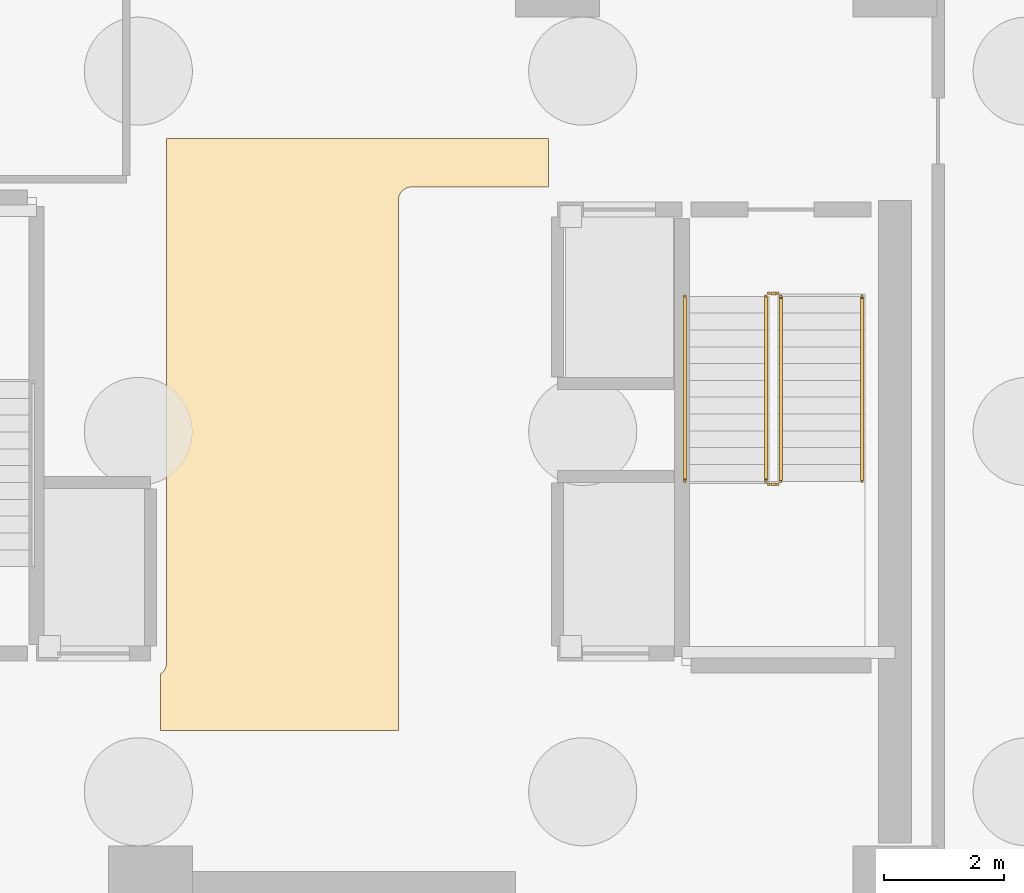
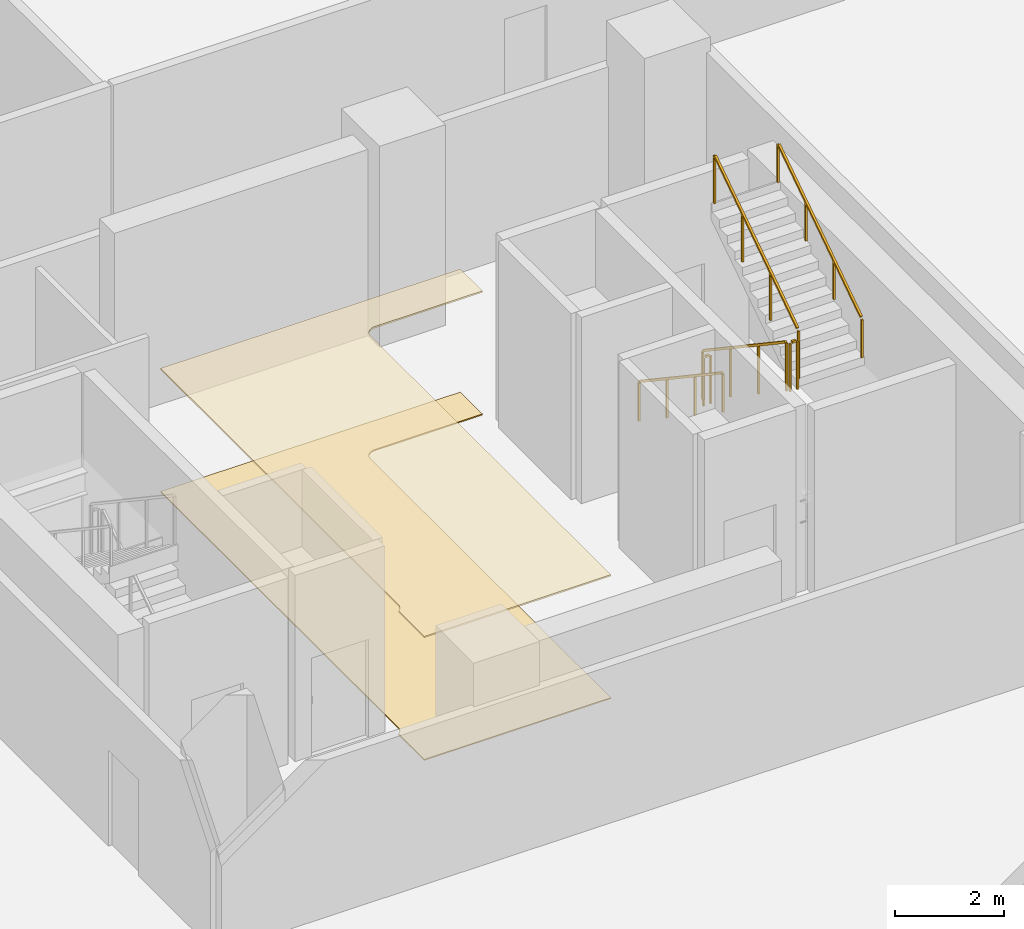
# One storey, part 12 of 15: 6 railings, 2 coverings.
"""IFC4 building model written with IfcOpenShell, lengths in metres."""

from ifc_helpers import new_model, si_unit, direction, frame, origin, origin_2d, place, context, subcontext, project, spatial, polyline, rectangle, outline, extrude, material, layer, layer_set, type_object, element, save


model = new_model("IFC4")

# Units and contexts
model_context = context("Model", 3, precision=1e-05, world=origin(), true_north=direction((0.0, 1.0)))
body_context = subcontext(model_context, "Body", "Model", "MODEL_VIEW")
ifc_project = project(units=[si_unit("LENGTHUNIT", "METRE"), si_unit("AREAUNIT", "SQUARE_METRE"), si_unit("VOLUMEUNIT", "CUBIC_METRE"), si_unit("PLANEANGLEUNIT", "RADIAN"), si_unit("MASSUNIT", "GRAM", prefix="KILO")], contexts=[model_context])

# Site, building, storey
site_placement = place(None, origin())
site = spatial("IfcSite", under=ifc_project, at=site_placement, CompositionType="ELEMENT")
building_placement = place(site_placement, origin())
building = spatial("IfcBuilding", under=site, at=building_placement, Name="Tharavind Bronze Gate", CompositionType="ELEMENT")
storey_placement = place(building_placement, frame((0.0, 0.0, -9.0)))
storey = spatial("IfcBuildingStorey", under=building, at=storey_placement, Name="B02", CompositionType="ELEMENT", Elevation=-9.0)

# Coverings
ifc_material_1 = material(Name="Perforated Bronze Acoustic Panel", Category="bronze")
ifc_layer_1 = layer(ifc_material_1, 0.044921875)
ifc_layer_set_1 = layer_set([ifc_layer_1], Name="Perforated Bronze Acoustic Panel")
covering_type_1 = type_object("IfcCoveringType", Name="ACOUSTIC BRONZE BAFFLE CEILING", PredefinedType="CEILING", material=ifc_layer_set_1)
covering_1_placement = place(storey_placement, frame((0.0, 0.0, 2.75)))
element("IfcCovering", 1, at=covering_1_placement, inside=storey, type_object=covering_type_1, Name="B02-C-LL suspended ceiling", PredefinedType="CEILING", context=body_context, shape_type="SweptSolid", body=[
    extrude(outline(polyline([(-3.330078125, -4.97998046875), (0.6298828125, -4.97998046875), (0.6298828125, 3.85009765625), (0.631103515625, 3.87158203125), (0.63427734375, 3.892822265625), (0.639404296875, 3.913818359375), (0.646728515625, 3.93408203125), (0.656005859375, 3.95361328125), (0.6669921875, 3.97216796875), (0.679931640625, 3.989501953125), (0.6943359375, 4.005615234375), (0.71044921875, 4.02001953125), (0.727783203125, 4.032958984375), (0.746337890625, 4.0439453125), (0.765869140625, 4.05322265625), (0.7861328125, 4.060546875), (0.80712890625, 4.06591796875), (0.828369140625, 4.06884765625), (0.85009765625, 4.070068359375), (3.1298828125, 4.070068359375), (3.1298828125, 4.8798828125), (-3.22998046875, 4.8798828125), (-3.22998046875, -3.85009765625), (-3.231201171875, -3.87158203125), (-3.234130859375, -3.892822265625), (-3.239501953125, -3.913818359375), (-3.24658203125, -3.93408203125), (-3.256103515625, -3.95361328125), (-3.26708984375, -3.97216796875), (-3.27978515625, -3.989501953125), (-3.29443359375, -4.005615234375), (-3.310302734375, -4.02001953125), (-3.327880859375, -4.032958984375), (-3.330078125, -4.0341796875), (-3.330078125, -4.97998046875)])), origin(), (0.0, 0.0, 1.0), 0.034912109375),
])
ifc_material_2 = material(Name="Honed Travertine Limestone", Category="masonry")
ifc_layer_2 = layer(ifc_material_2, 0.030029296875)
ifc_layer_set_2 = layer_set([ifc_layer_2], Name="Honed Travertine Limestone")
covering_type_2 = type_object("IfcCoveringType", Name="HONED LIMESTONE FLOORING", PredefinedType="FLOORING", material=ifc_layer_set_2)
covering_2_placement = place(storey_placement, origin())
element("IfcCovering", 2, at=covering_2_placement, inside=storey, type_object=covering_type_2, Name="B02-C-LL floor finish", PredefinedType="FLOORING", context=body_context, shape_type="SweptSolid", body=[
    extrude(outline(polyline([(-3.330078125, -4.97998046875), (0.6298828125, -4.97998046875), (0.6298828125, 3.85009765625), (0.631103515625, 3.87158203125), (0.63427734375, 3.892822265625), (0.639404296875, 3.913818359375), (0.646728515625, 3.93408203125), (0.656005859375, 3.95361328125), (0.6669921875, 3.97216796875), (0.679931640625, 3.989501953125), (0.6943359375, 4.005615234375), (0.71044921875, 4.02001953125), (0.727783203125, 4.032958984375), (0.746337890625, 4.0439453125), (0.765869140625, 4.05322265625), (0.7861328125, 4.060546875), (0.80712890625, 4.06591796875), (0.828369140625, 4.06884765625), (0.85009765625, 4.070068359375), (3.1298828125, 4.070068359375), (3.1298828125, 4.8798828125), (-3.22998046875, 4.8798828125), (-3.22998046875, -3.85009765625), (-3.231201171875, -3.87158203125), (-3.234130859375, -3.892822265625), (-3.239501953125, -3.913818359375), (-3.24658203125, -3.93408203125), (-3.256103515625, -3.95361328125), (-3.26708984375, -3.97216796875), (-3.27978515625, -3.989501953125), (-3.29443359375, -4.005615234375), (-3.310302734375, -4.02001953125), (-3.327880859375, -4.032958984375), (-3.330078125, -4.0341796875), (-3.330078125, -4.97998046875)])), origin(), (0.0, 0.0, 1.0), 0.02490234375),
])

# Railings
ifc_material_3 = material(Name="Brushed Bronze Alloy", Category="metal")
railing_type_1 = type_object("IfcRailingType", Name="STAIR BRONZE HANDRAIL 900", PredefinedType="HANDRAIL", material=ifc_material_3)
railing_1_placement = place(storey_placement, frame((5.39990234375, 2.25, 0.1875)))
element("IfcRailing", 3, at=railing_1_placement, inside=storey, type_object=railing_type_1, Name="B02 ST2 stair handrail 1", PredefinedType="HANDRAIL", context=body_context, shape_type="SweptSolid", body=[
    extrude(rectangle(XDim=0.048095703125, YDim=0.048095703125, at=origin_2d()), frame((0.0, -0.026611328125, 0.8935546875), z_axis=(0.0, -0.830913701846, 0.55640131208), x_axis=(1.0, 0.0, 0.0)), (0.0, 0.0, 1.0), 3.642822265625),
    extrude(rectangle(XDim=0.0400390625, YDim=0.0400390625, at=origin_2d()), origin(), (0.0, 0.0, 1.0), 0.847900390625),
    extrude(rectangle(XDim=0.0400390625, YDim=0.0400390625, at=origin_2d()), frame((0.0, -1.026611328125, 0.6875)), (0.0, 0.0, 1.0), 0.847900390625),
    extrude(rectangle(XDim=0.0400390625, YDim=0.0400390625, at=origin_2d()), frame((0.0, -2.053466796875, 1.375)), (0.0, 0.0, 1.0), 0.847900390625),
    extrude(rectangle(XDim=0.0400390625, YDim=0.0400390625, at=origin_2d()), frame((0.0, -3.080078125, 2.0625)), (0.0, 0.0, 1.0), 0.847900390625),
])
railing_2_placement = place(storey_placement, frame((8.35009765625, -0.830078125, 2.4375)))
element("IfcRailing", 4, at=railing_2_placement, inside=storey, type_object=railing_type_1, Name="B02 ST2 stair handrail 2", PredefinedType="HANDRAIL", context=body_context, shape_type="SweptSolid", body=[
    extrude(rectangle(XDim=0.048095703125, YDim=0.048095703125, at=origin_2d()), frame((0.0, 0.026611328125, 0.8935546875), z_axis=(0.0, 0.830913701846, 0.55640131208), x_axis=(-1.0, 0.0, 0.0)), (0.0, 0.0, 1.0), 3.642822265625),
    extrude(rectangle(XDim=0.0400390625, YDim=0.0400390625, at=origin_2d()), origin(), (0.0, 0.0, 1.0), 0.847900390625),
    extrude(rectangle(XDim=0.0400390625, YDim=0.0400390625, at=origin_2d()), frame((0.0, 1.026611328125, 0.6875)), (0.0, 0.0, 1.0), 0.847900390625),
    extrude(rectangle(XDim=0.0400390625, YDim=0.0400390625, at=origin_2d()), frame((0.0, 2.053466796875, 1.375)), (0.0, 0.0, 1.0), 0.847900390625),
    extrude(rectangle(XDim=0.0400390625, YDim=0.0400390625, at=origin_2d()), frame((0.0, 3.080078125, 2.0625)), (0.0, 0.0, 1.0), 0.847900390625),
])
railing_type_2 = type_object("IfcRailingType", Name="STAIR WELL GUARD RAILING 1120", PredefinedType="GUARDRAIL", material=ifc_material_3)
railing_3_placement = place(storey_placement, frame((6.75, 2.25, 0.1875)))
element("IfcRailing", 5, at=railing_3_placement, inside=storey, type_object=railing_type_2, Name="B02 ST2 stair guard 1", PredefinedType="GUARDRAIL", context=body_context, shape_type="SweptSolid", body=[
    extrude(rectangle(XDim=0.048095703125, YDim=0.048095703125, at=origin_2d()), frame((0.0, -0.026611328125, 1.11376953125), z_axis=(0.0, -0.830913701846, 0.55640131208), x_axis=(1.0, 0.0, 0.0)), (0.0, 0.0, 1.0), 3.642822265625),
    extrude(rectangle(XDim=0.0400390625, YDim=0.0400390625, at=origin_2d()), origin(), (0.0, 0.0, 1.0), 1.068115234375),
    extrude(rectangle(XDim=0.0400390625, YDim=0.0400390625, at=origin_2d()), frame((0.0, -1.026611328125, 0.6875)), (0.0, 0.0, 1.0), 1.068115234375),
    extrude(rectangle(XDim=0.0400390625, YDim=0.0400390625, at=origin_2d()), frame((0.0, -2.053466796875, 1.375)), (0.0, 0.0, 1.0), 1.068115234375),
    extrude(rectangle(XDim=0.0400390625, YDim=0.0400390625, at=origin_2d()), frame((0.0, -3.080078125, 2.0625)), (0.0, 0.0, 1.0), 1.068115234375),
])
railing_4_placement = place(storey_placement, frame((6.800048828125, -0.8798828125, 2.25)))
element("IfcRailing", 6, at=railing_4_placement, inside=storey, type_object=railing_type_2, Name="B02 ST2 stair guard 2", PredefinedType="GUARDRAIL", context=body_context, shape_type="SweptSolid", body=[
    extrude(rectangle(XDim=0.048095703125, YDim=0.048095703125, at=origin_2d()), frame((0.031982421875, 0.0, 1.09619140625), z_axis=(1.0, 0.0, 0.0), x_axis=(0.0, 1.0, 0.0)), (0.0, 0.0, 1.0), 0.0859375),
    extrude(rectangle(XDim=0.0400390625, YDim=0.0400390625, at=origin_2d()), origin(), (0.0, 0.0, 1.0), 1.068115234375),
    extrude(rectangle(XDim=0.0400390625, YDim=0.0400390625, at=origin_2d()), frame((0.14990234375, 0.0, 0.0)), (0.0, 0.0, 1.0), 1.068115234375),
])
railing_5_placement = place(storey_placement, frame((7.0, -0.830078125, 2.4375)))
element("IfcRailing", 7, at=railing_5_placement, inside=storey, type_object=railing_type_2, Name="B02 ST2 stair guard 3", PredefinedType="GUARDRAIL", context=body_context, shape_type="SweptSolid", body=[
    extrude(rectangle(XDim=0.048095703125, YDim=0.048095703125, at=origin_2d()), frame((0.0, 0.026611328125, 1.11376953125), z_axis=(0.0, 0.830913701846, 0.55640131208), x_axis=(-1.0, 0.0, 0.0)), (0.0, 0.0, 1.0), 3.642822265625),
    extrude(rectangle(XDim=0.0400390625, YDim=0.0400390625, at=origin_2d()), origin(), (0.0, 0.0, 1.0), 1.068115234375),
    extrude(rectangle(XDim=0.0400390625, YDim=0.0400390625, at=origin_2d()), frame((0.0, 1.026611328125, 0.6875)), (0.0, 0.0, 1.0), 1.068115234375),
    extrude(rectangle(XDim=0.0400390625, YDim=0.0400390625, at=origin_2d()), frame((0.0, 2.053466796875, 1.375)), (0.0, 0.0, 1.0), 1.068115234375),
    extrude(rectangle(XDim=0.0400390625, YDim=0.0400390625, at=origin_2d()), frame((0.0, 3.080078125, 2.0625)), (0.0, 0.0, 1.0), 1.068115234375),
])
railing_6_placement = place(storey_placement, frame((6.800048828125, 2.300048828125, 0.0)))
element("IfcRailing", 8, at=railing_6_placement, inside=storey, type_object=railing_type_2, Name="B02 ST2 stair guard 4", PredefinedType="GUARDRAIL", context=body_context, shape_type="SweptSolid", body=[
    extrude(rectangle(XDim=0.048095703125, YDim=0.048095703125, at=origin_2d()), frame((0.031982421875, 0.0, 1.09619140625), z_axis=(1.0, 0.0, 0.0), x_axis=(0.0, 1.0, 0.0)), (0.0, 0.0, 1.0), 0.0859375),
    extrude(rectangle(XDim=0.0400390625, YDim=0.0400390625, at=origin_2d()), origin(), (0.0, 0.0, 1.0), 1.068115234375),
    extrude(rectangle(XDim=0.0400390625, YDim=0.0400390625, at=origin_2d()), frame((0.14990234375, 0.0, 0.0)), (0.0, 0.0, 1.0), 1.068115234375),
])

save(model, "model.ifc")
